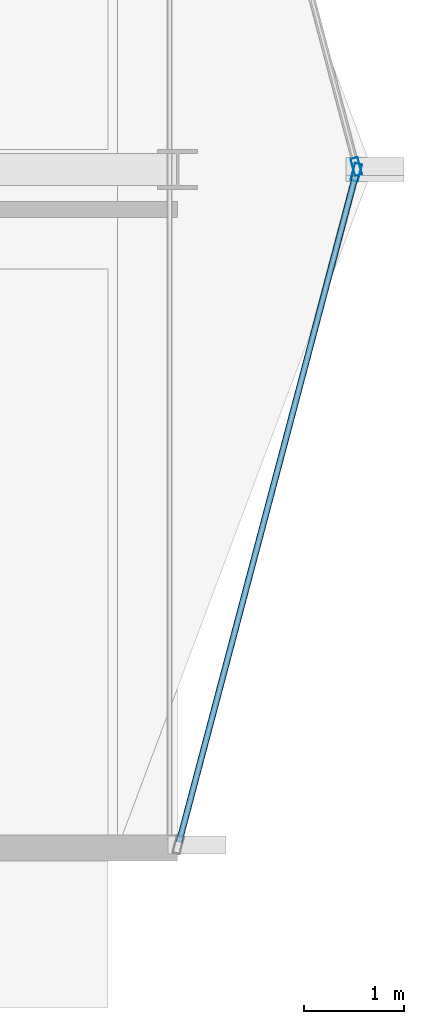
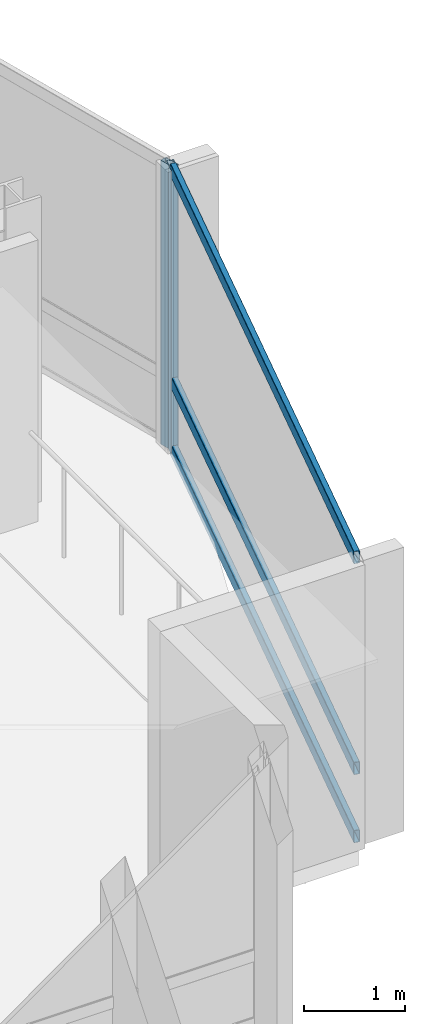
# One storey, part 11 of 27: 5 members, 2 elements without a shape of their own.
"""IFC4 building model written with IfcOpenShell, lengths in metres."""

from ifc_helpers import new_model, si_unit, direction, frame, origin, origin_2d, place, context, subcontext, project, spatial, hollow_rectangle, extrude, material, layer, layer_set, material_profile, profile_set, type_object, element, aggregate, save


model = new_model("IFC4")

# Units and contexts
model_context = context("Model", 3, precision=1e-05, world=origin(), true_north=direction((0.0, 1.0)))
body_context = subcontext(model_context, "Body", "Model", "MODEL_VIEW")
ifc_project = project(units=[si_unit("LENGTHUNIT", "METRE"), si_unit("AREAUNIT", "SQUARE_METRE"), si_unit("VOLUMEUNIT", "CUBIC_METRE"), si_unit("PLANEANGLEUNIT", "RADIAN"), si_unit("MASSUNIT", "GRAM", prefix="KILO")], contexts=[model_context])

# Site, building, storey
site_placement = place(None, origin())
site = spatial("IfcSite", under=ifc_project, at=site_placement, CompositionType="ELEMENT")
building_placement = place(site_placement, origin())
building = spatial("IfcBuilding", under=site, at=building_placement, Name="Solvaryn Broadcast Tower", CompositionType="ELEMENT")
storey_placement = place(building_placement, frame((0.0, 0.0, 224.699951171875)))
storey = spatial("IfcBuildingStorey", under=building, at=storey_placement, Name="L56", CompositionType="ELEMENT", Elevation=224.699951171875)

# Curtain wall, member
ifc_material_1 = material(Name="Aluminium and Terracotta Unitised Curtain Wall", Category="masonry")
ifc_layer = layer(ifc_material_1, 0.199951171875)
ifc_layer_set = layer_set([ifc_layer], Name="CW-SYS2-LOWMID")
curtain_wall_type = type_object("IfcCurtainWallType", Name="CW-SYS2-LOWMID", PredefinedType="NOTDEFINED", material=ifc_layer_set)
curtain_wall_1_placement = place(storey_placement, origin())
curtain_wall_1 = element("IfcCurtainWall", 1, at=curtain_wall_1_placement, inside=storey, type_object=curtain_wall_type, Name="L56 Curtain Wall ET1", PredefinedType="NOTDEFINED")
ifc_material_2 = material(Name="Anodised Aluminium 6063-T6", Category="aluminium")
ifc_material_profile_1 = material_profile(ifc_material_2, hollow_rectangle(XDim=0.074951171875, YDim=0.179931640625, WallThickness=0.00390625, InnerFilletRadius=0.00390625, OuterFilletRadius=0.008056640625, at=origin_2d()))
ifc_profile_set_1 = profile_set([ifc_material_profile_1], Name="Anodised Aluminium 6063-T6")
member_type_1 = type_object("IfcMemberType", Name="CW-MUL-180", PredefinedType="MULLION", material=ifc_profile_set_1)
member_1_placement = place(storey_placement, frame((55.792236328125, 18.029052734375, 0.0), z_axis=(0.0, 0.0, 1.0), x_axis=(0.966705227863, 0.25589256031, 0.0)))
member_1 = element("IfcMember", 2, at=member_1_placement, type_object=member_type_1, Name="CWS2 mullion 2", PredefinedType="MULLION", context=body_context, shape_type="SweptSolid", body=[
    extrude(hollow_rectangle(XDim=0.074951171875, YDim=0.179931640625, WallThickness=0.00390625, InnerFilletRadius=0.00390625, OuterFilletRadius=0.008056640625, at=origin_2d()), origin(), (0.0, 0.0, 1.0), 3.420166015625),
])
aggregate(curtain_wall_1, [member_1])

# Curtain wall, members
curtain_wall_2_placement = place(storey_placement, origin())
curtain_wall_2 = element("IfcCurtainWall", 3, at=curtain_wall_2_placement, inside=storey, type_object=curtain_wall_type, Name="L56 Curtain Wall ET2", PredefinedType="NOTDEFINED")
member_2_placement = place(storey_placement, frame((55.792236328125, 17.970947265625, 0.0), z_axis=(0.0, 0.0, 1.0), x_axis=(0.966705227863, -0.25589256031, 0.0)))
member_2 = element("IfcMember", 4, at=member_2_placement, type_object=member_type_1, Name="CWS2 mullion 1", PredefinedType="MULLION", context=body_context, shape_type="SweptSolid", body=[
    extrude(hollow_rectangle(XDim=0.074951171875, YDim=0.179931640625, WallThickness=0.00390625, InnerFilletRadius=0.00390625, OuterFilletRadius=0.008056640625, at=origin_2d()), origin(), (0.0, 0.0, 1.0), 3.420166015625),
])
ifc_material_3 = material(Name="Anodised Aluminium 6063-T6", Category="aluminium")
ifc_material_profile_2 = material_profile(ifc_material_3, hollow_rectangle(XDim=0.06494140625, YDim=0.14990234375, WallThickness=0.00390625, InnerFilletRadius=0.00390625, OuterFilletRadius=0.008056640625, at=origin_2d()))
ifc_profile_set_2 = profile_set([ifc_material_profile_2], Name="Anodised Aluminium 6063-T6")
member_type_2 = type_object("IfcMemberType", Name="CW-TRN-150", PredefinedType="USERDEFINED", material=ifc_profile_set_2)
member_3_placement = place(storey_placement, frame((55.78466796875, 17.94189453125, 0.030029296875), z_axis=(-0.255897413051, -0.966703943301, 0.0), x_axis=(0.966703943301, -0.255897413051, 0.0)))
member_3 = element("IfcMember", 5, at=member_3_placement, type_object=member_type_2, Name="CWS2 transom 1.1", ObjectType="TRANSOM", PredefinedType="USERDEFINED", context=body_context, shape_type="SweptSolid", body=[
    extrude(hollow_rectangle(XDim=0.06494140625, YDim=0.14990234375, WallThickness=0.00390625, InnerFilletRadius=0.00390625, OuterFilletRadius=0.008056640625, at=origin_2d()), origin(), (0.0, 0.0, 1.0), 6.9140625),
])
member_4_placement = place(storey_placement, frame((55.78466796875, 17.94189453125, 0.85009765625), z_axis=(-0.255897413051, -0.966703943301, 0.0), x_axis=(0.966703943301, -0.255897413051, 0.0)))
member_4 = element("IfcMember", 6, at=member_4_placement, type_object=member_type_2, Name="CWS2 transom 1.2", ObjectType="TRANSOM", PredefinedType="USERDEFINED", context=body_context, shape_type="SweptSolid", body=[
    extrude(hollow_rectangle(XDim=0.06494140625, YDim=0.14990234375, WallThickness=0.00390625, InnerFilletRadius=0.00390625, OuterFilletRadius=0.008056640625, at=origin_2d()), origin(), (0.0, 0.0, 1.0), 6.9140625),
])
member_5_placement = place(storey_placement, frame((55.78466796875, 17.94189453125, 3.39013671875), z_axis=(-0.255897413051, -0.966703943301, 0.0), x_axis=(0.966703943301, -0.255897413051, 0.0)))
member_5 = element("IfcMember", 7, at=member_5_placement, type_object=member_type_2, Name="CWS2 transom 1.3", ObjectType="TRANSOM", PredefinedType="USERDEFINED", context=body_context, shape_type="SweptSolid", body=[
    extrude(hollow_rectangle(XDim=0.06494140625, YDim=0.14990234375, WallThickness=0.00390625, InnerFilletRadius=0.00390625, OuterFilletRadius=0.008056640625, at=origin_2d()), origin(), (0.0, 0.0, 1.0), 6.9140625),
])
aggregate(curtain_wall_2, [member_2, member_3, member_4, member_5])

save(model, "model.ifc")
